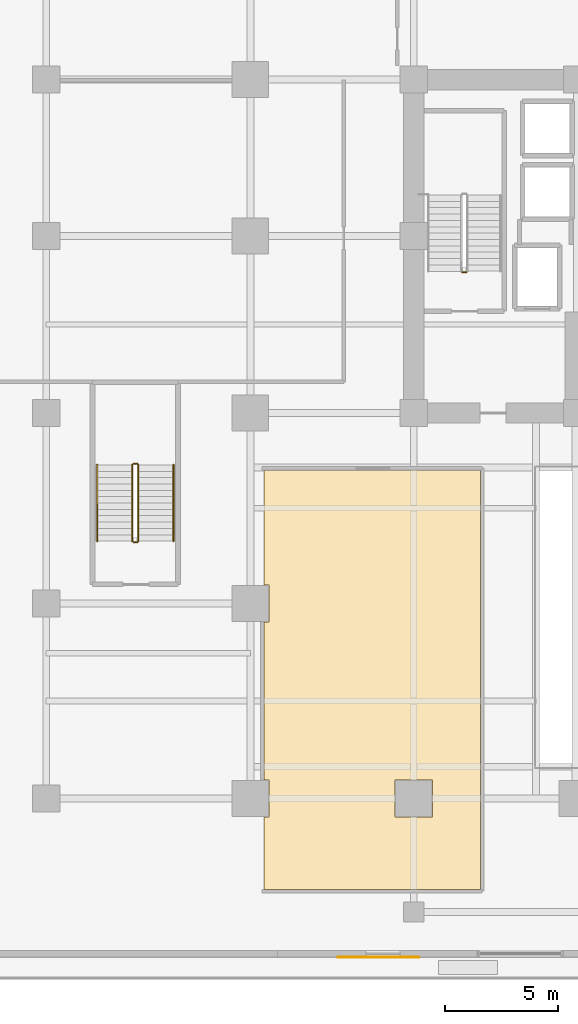
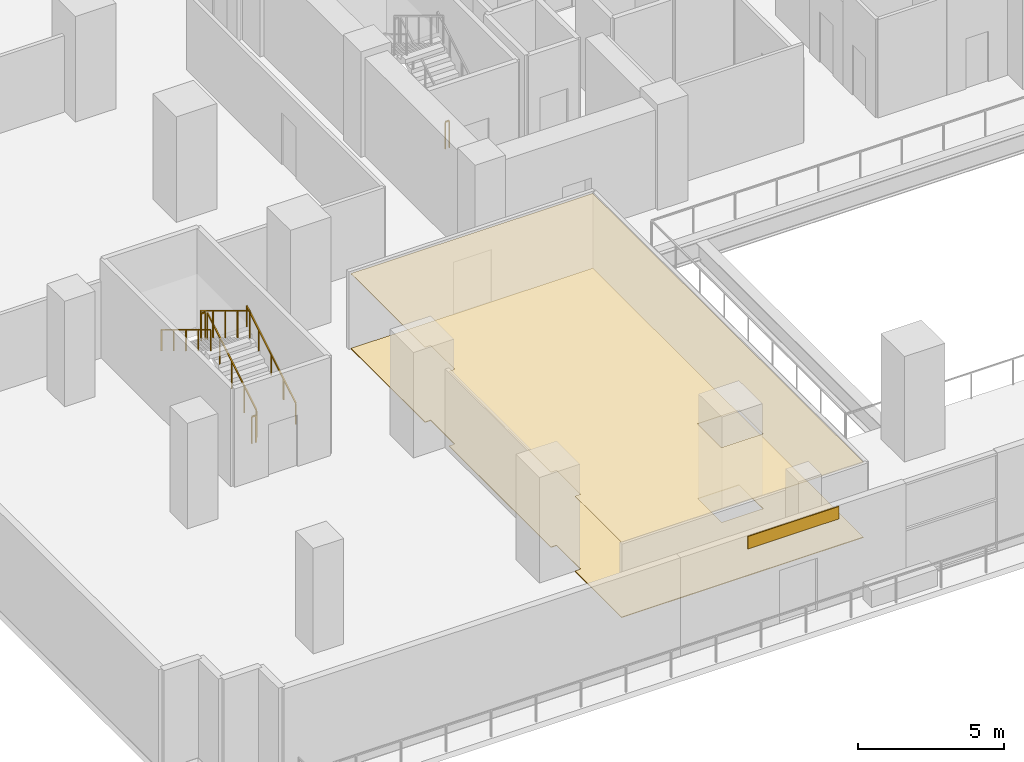
# One storey, part 16 of 21: 7 railings, 3 coverings.
"""IFC4 building model written with IfcOpenShell, lengths in metres."""

from ifc_helpers import new_model, si_unit, direction, frame, origin, origin_2d, place, context, subcontext, project, spatial, polyline, rectangle, outline, extrude, source, transform, mapped, material, layer, layer_set, type_object, element, save


model = new_model("IFC4")

# Units and contexts
model_context = context("Model", 3, precision=1e-05, world=origin(), true_north=direction((0.0, 1.0)))
body_context = subcontext(model_context, "Body", "Model", "MODEL_VIEW")
ifc_project = project(units=[si_unit("LENGTHUNIT", "METRE"), si_unit("AREAUNIT", "SQUARE_METRE"), si_unit("VOLUMEUNIT", "CUBIC_METRE"), si_unit("PLANEANGLEUNIT", "RADIAN"), si_unit("MASSUNIT", "GRAM", prefix="KILO")], contexts=[model_context])

# Site, building, storey
site_placement = place(None, origin())
site = spatial("IfcSite", under=ifc_project, at=site_placement, CompositionType="ELEMENT")
building_placement = place(site_placement, origin())
building = spatial("IfcBuilding", under=site, at=building_placement, Name="Zarnakvel Exchange Tower", CompositionType="ELEMENT")
storey_placement = place(building_placement, frame((0.0, 0.0, 5.0)))
storey = spatial("IfcBuildingStorey", under=building, at=storey_placement, Name="L01", CompositionType="ELEMENT", Elevation=5.0)

# Coverings
ifc_material_1 = material(Name="Perforated Bronze Acoustic Metal Ceiling", Category="aluminium")
ifc_layer_1 = layer(ifc_material_1, 0.02001953125)
ifc_layer_set_1 = layer_set([ifc_layer_1], Name="Perforated Bronze Acoustic Metal Ceiling")
covering_type_1 = type_object("IfcCoveringType", Name="CLG-01", PredefinedType="CEILING", material=ifc_layer_set_1)
covering_1_placement = place(storey_placement, frame((0.0, 0.0, 3.1298828125)))
element("IfcCovering", 1, at=covering_1_placement, inside=storey, type_object=covering_type_1, Name="L01 Suspended Acoustic Ceiling (Securities Exchange Hall)", PredefinedType="CEILING", context=body_context, shape_type="SweptSolid", body=[
    extrude(outline(polyline([(-11.4599609375, -3.7099609375), (-11.4599609375, -22.199951171875), (-21.0, -22.199951171875), (-21.0, -19.02001953125), (-20.780029296875, -19.02001953125), (-20.780029296875, -17.3798828125), (-21.0, -17.3798828125), (-21.0, -10.419921875), (-20.780029296875, -10.419921875), (-20.780029296875, -8.780029296875), (-21.0, -8.780029296875), (-21.0, -3.7099609375), (-11.4599609375, -3.7099609375)]), holes=[polyline([(-13.580078125, -19.02001953125), (-13.580078125, -17.3798828125), (-15.219970703125, -17.3798828125), (-15.219970703125, -19.02001953125), (-13.580078125, -19.02001953125)])]), origin(), (0.0, 0.0, 1.0), 0.02001953125),
])
ifc_material_2 = material(Name="Honed Limestone & Turquoise Inlay Stone", Category="masonry")
ifc_layer_2 = layer(ifc_material_2, 0.030029296875)
ifc_layer_set_2 = layer_set([ifc_layer_2], Name="Honed Limestone & Turquoise Inlay Stone")
covering_type_2 = type_object("IfcCoveringType", Name="FLR-01", PredefinedType="FLOORING", material=ifc_layer_set_2)
covering_2_placement = place(storey_placement, origin())
element("IfcCovering", 2, at=covering_2_placement, inside=storey, type_object=covering_type_2, Name="L01 Floor Finish (Securities Exchange Hall)", PredefinedType="FLOORING", context=body_context, shape_type="SweptSolid", body=[
    extrude(outline(polyline([(-11.4599609375, -3.7099609375), (-11.4599609375, -22.199951171875), (-21.0, -22.199951171875), (-21.0, -19.02001953125), (-20.780029296875, -19.02001953125), (-20.780029296875, -17.3798828125), (-21.0, -17.3798828125), (-21.0, -10.419921875), (-20.780029296875, -10.419921875), (-20.780029296875, -8.780029296875), (-21.0, -8.780029296875), (-21.0, -3.7099609375), (-11.4599609375, -3.7099609375)]), holes=[polyline([(-13.580078125, -19.02001953125), (-13.580078125, -17.3798828125), (-15.219970703125, -17.3798828125), (-15.219970703125, -19.02001953125), (-13.580078125, -19.02001953125)])]), origin(), (0.0, 0.0, 1.0), 0.030029296875),
])

# Railings
ifc_material_3 = material(Name="Brushed Stainless Steel", Category="steel")
railing_type_1 = type_object("IfcRailingType", Name="HR-01", PredefinedType="HANDRAIL", material=ifc_material_3)
railing_1_placement = place(storey_placement, frame((-24.989990234375, -6.85009765625, 0.169189453125)))
element("IfcRailing", 3, at=railing_1_placement, inside=storey, type_object=railing_type_1, Name="L01 ST-03 stair handrail 1", PredefinedType="HANDRAIL", context=body_context, shape_type="SweptSolid", body=[
    extrude(rectangle(XDim=0.048095703125, YDim=0.048095703125, at=origin_2d()), frame((0.0, 0.0, 0.8759765625), z_axis=(0.0, 0.855836976705, 0.517245656632), x_axis=(-1.0, 0.0, 0.0)), (0.0, 0.0, 1.0), 3.926025390625),
    extrude(rectangle(XDim=0.0419921875, YDim=0.0419921875, at=origin_2d()), origin(), (0.0, 0.0, 1.0), 0.851806640625),
    extrude(rectangle(XDim=0.0419921875, YDim=0.0419921875, at=origin_2d()), frame((0.0, 0.840087890625, 0.5078125)), (0.0, 0.0, 1.0), 0.851806640625),
    extrude(rectangle(XDim=0.0419921875, YDim=0.0419921875, at=origin_2d()), frame((0.0, 1.68017578125, 1.015380859375)), (0.0, 0.0, 1.0), 0.851806640625),
    extrude(rectangle(XDim=0.0419921875, YDim=0.0419921875, at=origin_2d()), frame((0.0, 2.52001953125, 1.52294921875)), (0.0, 0.0, 1.0), 0.851806640625),
    extrude(rectangle(XDim=0.0419921875, YDim=0.0419921875, at=origin_2d()), frame((0.0, 3.360107421875, 2.03076171875)), (0.0, 0.0, 1.0), 0.851806640625),
])
railing_2_placement = place(storey_placement, frame((-28.35009765625, -3.489990234375, 2.369140625)))
element("IfcRailing", 4, at=railing_2_placement, inside=storey, type_object=railing_type_1, Name="L01 ST-03 stair handrail 2", PredefinedType="HANDRAIL", context=body_context, shape_type="SweptSolid", body=[
    extrude(rectangle(XDim=0.048095703125, YDim=0.048095703125, at=origin_2d()), frame((0.0, 0.0, 0.8759765625), z_axis=(0.0, -0.855836976705, 0.517245656632), x_axis=(1.0, 0.0, 0.0)), (0.0, 0.0, 1.0), 3.926025390625),
    extrude(rectangle(XDim=0.0419921875, YDim=0.0419921875, at=origin_2d()), origin(), (0.0, 0.0, 1.0), 0.851806640625),
    extrude(rectangle(XDim=0.0419921875, YDim=0.0419921875, at=origin_2d()), frame((0.0, -0.840087890625, 0.5078125)), (0.0, 0.0, 1.0), 0.851806640625),
    extrude(rectangle(XDim=0.0419921875, YDim=0.0419921875, at=origin_2d()), frame((0.0, -1.68017578125, 1.015380859375)), (0.0, 0.0, 1.0), 0.851806640625),
    extrude(rectangle(XDim=0.0419921875, YDim=0.0419921875, at=origin_2d()), frame((0.0, -2.52001953125, 1.52294921875)), (0.0, 0.0, 1.0), 0.851806640625),
    extrude(rectangle(XDim=0.0419921875, YDim=0.0419921875, at=origin_2d()), frame((0.0, -3.360107421875, 2.03076171875)), (0.0, 0.0, 1.0), 0.851806640625),
])
ifc_material_4 = material(Name="Architectural Bronze Anodised Aluminium", Category="aluminium")
railing_type_2 = type_object("IfcRailingType", Name="SG-01", PredefinedType="GUARDRAIL", material=ifc_material_4)
railing_3_placement = place(storey_placement, frame((-12.090087890625, 5.0, 0.0)))
element("IfcRailing", 5, at=railing_3_placement, inside=storey, type_object=railing_type_2, Name="L01 ST-01 stair guard 4", PredefinedType="GUARDRAIL", context=body_context, shape_type="SweptSolid", body=[
    extrude(rectangle(XDim=0.048095703125, YDim=0.048095703125, at=origin_2d()), frame((0.0, 0.0, 1.1259765625), z_axis=(-1.0, 0.0, 0.0), x_axis=(0.0, -1.0, 0.0)), (0.0, 0.0, 1.0), 0.159912109375),
    extrude(rectangle(XDim=0.0419921875, YDim=0.0419921875, at=origin_2d()), origin(), (0.0, 0.0, 1.0), 1.101806640625),
    extrude(rectangle(XDim=0.0419921875, YDim=0.0419921875, at=origin_2d()), frame((-0.159912109375, 0.0, 0.0)), (0.0, 0.0, 1.0), 1.101806640625),
])
railing_4_placement = place(storey_placement, frame((-26.5400390625, -6.85009765625, 0.169189453125)))
element("IfcRailing", 6, at=railing_4_placement, inside=storey, type_object=railing_type_2, Name="L01 ST-03 stair guard 1", PredefinedType="GUARDRAIL", context=body_context, shape_type="SweptSolid", body=[
    extrude(rectangle(XDim=0.048095703125, YDim=0.048095703125, at=origin_2d()), frame((0.0, 0.0, 1.1259765625), z_axis=(0.0, 0.855836976705, 0.517245656632), x_axis=(-1.0, 0.0, 0.0)), (0.0, 0.0, 1.0), 3.926025390625),
    extrude(rectangle(XDim=0.0419921875, YDim=0.0419921875, at=origin_2d()), origin(), (0.0, 0.0, 1.0), 1.101806640625),
    extrude(rectangle(XDim=0.0419921875, YDim=0.0419921875, at=origin_2d()), frame((0.0, 0.840087890625, 0.5078125)), (0.0, 0.0, 1.0), 1.101806640625),
    extrude(rectangle(XDim=0.0419921875, YDim=0.0419921875, at=origin_2d()), frame((0.0, 1.68017578125, 1.015380859375)), (0.0, 0.0, 1.0), 1.101806640625),
    extrude(rectangle(XDim=0.0419921875, YDim=0.0419921875, at=origin_2d()), frame((0.0, 2.52001953125, 1.52294921875)), (0.0, 0.0, 1.0), 1.101806640625),
    extrude(rectangle(XDim=0.0419921875, YDim=0.0419921875, at=origin_2d()), frame((0.0, 3.360107421875, 2.03076171875)), (0.0, 0.0, 1.0), 1.101806640625),
])
railing_5_placement = place(storey_placement, frame((-26.590087890625, -3.43994140625, 2.199951171875)))
element("IfcRailing", 7, at=railing_5_placement, inside=storey, type_object=railing_type_2, Name="L01 ST-03 stair guard 2", PredefinedType="GUARDRAIL", context=body_context, shape_type="SweptSolid", body=[
    extrude(rectangle(XDim=0.048095703125, YDim=0.048095703125, at=origin_2d()), frame((0.0, 0.0, 1.1259765625), z_axis=(-1.0, 0.0, 0.0), x_axis=(0.0, -1.0, 0.0)), (0.0, 0.0, 1.0), 0.159912109375),
    extrude(rectangle(XDim=0.0419921875, YDim=0.0419921875, at=origin_2d()), origin(), (0.0, 0.0, 1.0), 1.101806640625),
    extrude(rectangle(XDim=0.0419921875, YDim=0.0419921875, at=origin_2d()), frame((-0.159912109375, 0.0, 0.0)), (0.0, 0.0, 1.0), 1.101806640625),
])
railing_6_placement = place(storey_placement, frame((-26.800048828125, -3.489990234375, 2.369140625)))
element("IfcRailing", 8, at=railing_6_placement, inside=storey, type_object=railing_type_2, Name="L01 ST-03 stair guard 3", PredefinedType="GUARDRAIL", context=body_context, shape_type="SweptSolid", body=[
    extrude(rectangle(XDim=0.048095703125, YDim=0.048095703125, at=origin_2d()), frame((0.0, 0.0, 1.1259765625), z_axis=(0.0, -0.855836976705, 0.517245656632), x_axis=(1.0, 0.0, 0.0)), (0.0, 0.0, 1.0), 3.926025390625),
    extrude(rectangle(XDim=0.0419921875, YDim=0.0419921875, at=origin_2d()), origin(), (0.0, 0.0, 1.0), 1.101806640625),
    extrude(rectangle(XDim=0.0419921875, YDim=0.0419921875, at=origin_2d()), frame((0.0, -0.840087890625, 0.5078125)), (0.0, 0.0, 1.0), 1.101806640625),
    extrude(rectangle(XDim=0.0419921875, YDim=0.0419921875, at=origin_2d()), frame((0.0, -1.68017578125, 1.015380859375)), (0.0, 0.0, 1.0), 1.101806640625),
    extrude(rectangle(XDim=0.0419921875, YDim=0.0419921875, at=origin_2d()), frame((0.0, -2.52001953125, 1.52294921875)), (0.0, 0.0, 1.0), 1.101806640625),
    extrude(rectangle(XDim=0.0419921875, YDim=0.0419921875, at=origin_2d()), frame((0.0, -3.360107421875, 2.03076171875)), (0.0, 0.0, 1.0), 1.101806640625),
])
railing_7_placement = place(storey_placement, frame((-26.590087890625, -6.89990234375, 0.0)))
element("IfcRailing", 9, at=railing_7_placement, inside=storey, type_object=railing_type_2, Name="L01 ST-03 stair guard 4", PredefinedType="GUARDRAIL", context=body_context, shape_type="SweptSolid", body=[
    extrude(rectangle(XDim=0.048095703125, YDim=0.048095703125, at=origin_2d()), frame((0.0, 0.0, 1.1259765625), z_axis=(-1.0, 0.0, 0.0), x_axis=(0.0, -1.0, 0.0)), (0.0, 0.0, 1.0), 0.159912109375),
    extrude(rectangle(XDim=0.0419921875, YDim=0.0419921875, at=origin_2d()), origin(), (0.0, 0.0, 1.0), 1.101806640625),
    extrude(rectangle(XDim=0.0419921875, YDim=0.0419921875, at=origin_2d()), frame((-0.159912109375, 0.0, 0.0)), (0.0, 0.0, 1.0), 1.101806640625),
])

# Covering
ifc_material_5 = material(Name="Warm Sandstone Terracotta Spandrel Tile", Category="masonry")
ifc_layer_3 = layer(ifc_material_5, 0.031982421875)
ifc_layer_set_3 = layer_set([ifc_layer_3], Name="Warm Sandstone Terracotta Spandrel Tile")
covering_type_3 = type_object("IfcCoveringType", Name="CL-02", PredefinedType="CLADDING", material=ifc_layer_set_3)
shared_shape = source(origin(), body_context, "Body", "SweptSolid", [
    extrude(rectangle(XDim=3.60009765625, YDim=0.031982421875, at=origin_2d()), origin(), (0.0, 0.0, 1.0), 0.52001953125),
])
covering_3_placement = place(storey_placement, frame((-15.952392578125, -25.194091796875, 3.56005859375), z_axis=(0.0, 0.0, 1.0), x_axis=(-1.0, 0.0, 0.0)))
element("IfcCovering", 10, at=covering_3_placement, inside=storey, type_object=covering_type_3, Name="L01 Ceramic Spandrel Tilework CL-02", PredefinedType="CLADDING", context=body_context, shape_type="MappedRepresentation", body=[
    mapped(shared_shape, transform((0.0, 0.0, 0.0), x_axis=(1.0, 0.0, 0.0), y_axis=(0.0, 1.0, 0.0), z_axis=(0.0, 0.0, 1.0), scale=1.0)),
])

save(model, "model.ifc")
